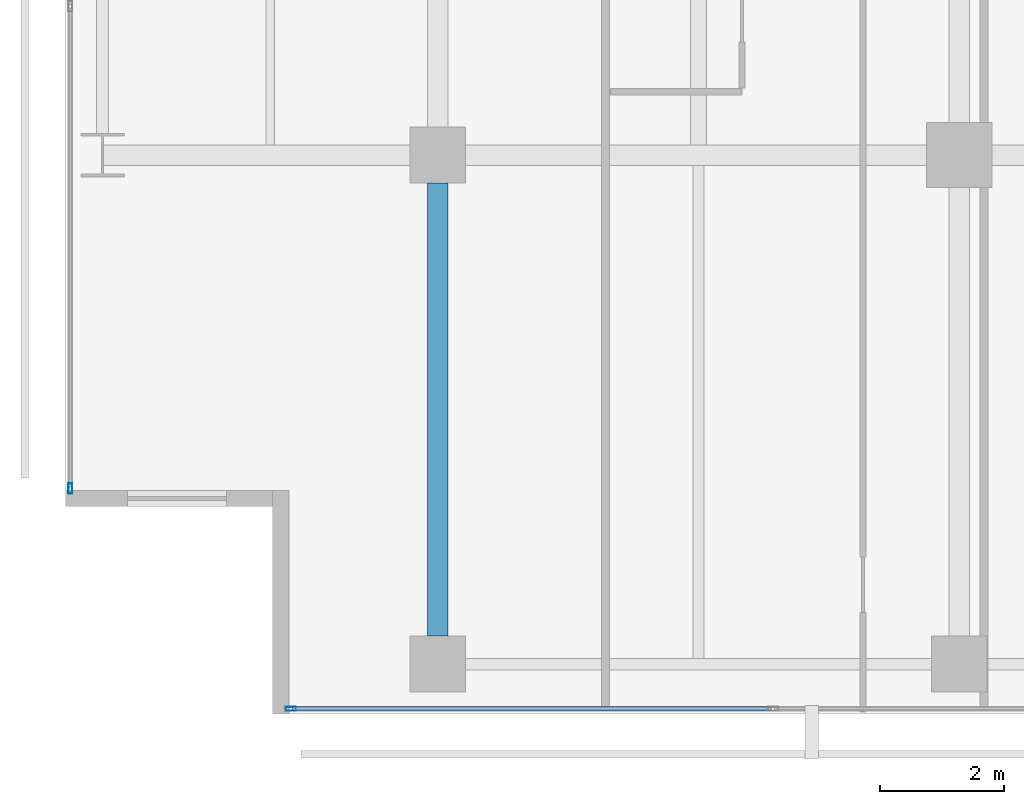
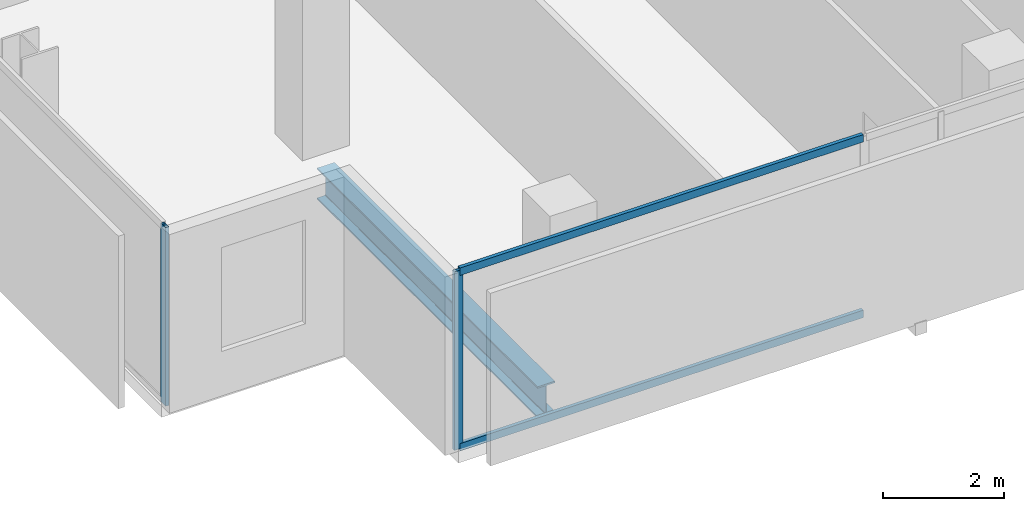
# One storey, part 2 of 40: 4 members, 1 beam, 2 elements without a shape of their own.
"""IFC4 building model written with IfcOpenShell, lengths in metres."""

from ifc_helpers import new_model, si_unit, direction, frame, origin, origin_2d, place, context, subcontext, project, spatial, hollow_rectangle, i_section, extrude, material, layer, layer_set, material_profile, profile_set, type_object, element, aggregate, save


model = new_model("IFC4")

# Units and contexts
model_context = context("Model", 3, precision=1e-05, world=origin(), true_north=direction((0.0, 1.0)))
body_context = subcontext(model_context, "Body", "Model", "MODEL_VIEW")
ifc_project = project(units=[si_unit("LENGTHUNIT", "METRE"), si_unit("AREAUNIT", "SQUARE_METRE"), si_unit("VOLUMEUNIT", "CUBIC_METRE"), si_unit("PLANEANGLEUNIT", "RADIAN"), si_unit("MASSUNIT", "GRAM", prefix="KILO")], contexts=[model_context])

# Site, building, storey
site_placement = place(None, origin())
site = spatial("IfcSite", under=ifc_project, at=site_placement, CompositionType="ELEMENT")
building_placement = place(site_placement, origin())
building = spatial("IfcBuilding", under=site, at=building_placement, Name="Maruvema Waterfront Hotel and Observation Tower", CompositionType="ELEMENT")
storey_placement = place(building_placement, frame((0.0, 0.0, 34.64990234375)))
storey = spatial("IfcBuildingStorey", under=building, at=storey_placement, Name="L07", CompositionType="ELEMENT", Elevation=34.64990234375)

# Curtain wall, members
ifc_material_1 = material(Name="Anodised bronze aluminium and solar-control low-E IGU", Category="aluminium")
ifc_layer = layer(ifc_material_1, 0.159912109375, Name="Zone 1 Bronze Inner Thermal Curtain Wall System CW-02")
ifc_layer_set = layer_set([ifc_layer], Name="Anodised bronze aluminium and solar-control low-E IGU")
curtain_wall_type = type_object("IfcCurtainWallType", Name="Zone 1 Bronze Inner Thermal Curtain Wall System CW-02", PredefinedType="USERDEFINED", material=ifc_layer_set)
curtain_wall_1_placement = place(storey_placement, origin())
curtain_wall_1 = element("IfcCurtainWall", 1, at=curtain_wall_1_placement, inside=storey, type_object=curtain_wall_type, Name="L07 Curtain Wall CW-L07-S", ObjectType="UNITISED CURTAIN WALL", PredefinedType="USERDEFINED")
ifc_material_2 = material(Name="Anodised architectural bronze aluminium", Category="aluminium")
ifc_material_profile_1 = material_profile(ifc_material_2, hollow_rectangle(XDim=0.070068359375, YDim=0.14990234375, WallThickness=0.00390625, at=origin_2d()), Name="ALU-T70x150")
ifc_profile_set_1 = profile_set([ifc_material_profile_1], Name="Anodised architectural bronze aluminium")
member_type_1 = type_object("IfcMemberType", Name="Curtain Wall Horizontal Transom ALU-T70x150", PredefinedType="USERDEFINED", material=ifc_profile_set_1)
member_1_placement = place(storey_placement, frame((14.4599609375, 0.080078125, 0.030029296875), z_axis=(1.0, 0.0, 0.0), x_axis=(0.0, 1.0, 0.0)))
member_1 = element("IfcMember", 2, at=member_1_placement, type_object=member_type_1, Name="CW-02 transom 1.1", ObjectType="TRANSOM", PredefinedType="USERDEFINED", context=body_context, shape_type="SweptSolid", body=[
    extrude(hollow_rectangle(XDim=0.070068359375, YDim=0.14990234375, WallThickness=0.00390625, at=origin_2d()), origin(), (0.0, 0.0, 1.0), 7.7099609375),
])
member_2_placement = place(storey_placement, frame((14.4599609375, 0.080078125, 3.580078125), z_axis=(1.0, 0.0, 0.0), x_axis=(0.0, 1.0, 0.0)))
member_2 = element("IfcMember", 3, at=member_2_placement, type_object=member_type_1, Name="CW-02 transom 1.2", ObjectType="TRANSOM", PredefinedType="USERDEFINED", context=body_context, shape_type="SweptSolid", body=[
    extrude(hollow_rectangle(XDim=0.070068359375, YDim=0.14990234375, WallThickness=0.00390625, at=origin_2d()), origin(), (0.0, 0.0, 1.0), 7.7099609375),
])
ifc_material_3 = material(Name="Anodised architectural bronze aluminium", Category="aluminium")
ifc_material_profile_2 = material_profile(ifc_material_3, hollow_rectangle(XDim=0.06494140625, YDim=0.1650390625, WallThickness=0.00390625, at=origin_2d()), Name="ALU-M65x165")
ifc_profile_set_2 = profile_set([ifc_material_profile_2], Name="Anodised architectural bronze aluminium")
member_type_2 = type_object("IfcMemberType", Name="Curtain Wall Primary Mullion ALU-M65x165", PredefinedType="MULLION", material=ifc_profile_set_2)
member_3_placement = place(storey_placement, frame((14.429931640625, 0.080078125, 0.0), z_axis=(0.0, 0.0, 1.0), x_axis=(0.0, 1.0, 0.0)))
member_3 = element("IfcMember", 4, at=member_3_placement, type_object=member_type_2, Name="CW-02 mullion 1", PredefinedType="MULLION", context=body_context, shape_type="SweptSolid", body=[
    extrude(hollow_rectangle(XDim=0.06494140625, YDim=0.1650390625, WallThickness=0.00390625, at=origin_2d()), origin(), (0.0, 0.0, 1.0), 3.610107421875),
])
aggregate(curtain_wall_1, [member_3, member_1, member_2])

# Curtain wall, member
curtain_wall_2_placement = place(storey_placement, origin())
curtain_wall_2 = element("IfcCurtainWall", 5, at=curtain_wall_2_placement, inside=storey, type_object=curtain_wall_type, Name="L07 Curtain Wall CW-L07-W", ObjectType="UNITISED CURTAIN WALL", PredefinedType="USERDEFINED")
member_4_placement = place(storey_placement, frame((10.8798828125, 3.6298828125, 0.0), z_axis=(0.0, 0.0, 1.0), x_axis=(1.0, 0.0, 0.0)))
member_4 = element("IfcMember", 6, at=member_4_placement, type_object=member_type_2, Name="CW-02 mullion 7", PredefinedType="MULLION", context=body_context, shape_type="SweptSolid", body=[
    extrude(hollow_rectangle(XDim=0.06494140625, YDim=0.1650390625, WallThickness=0.00390625, at=origin_2d()), origin(), (0.0, 0.0, 1.0), 3.610107421875),
])
aggregate(curtain_wall_2, [member_4])

# Beam
ifc_material_4 = material(Name="Steel ASTM A572 Grade 50", Category="steel")
ifc_material_profile_3 = material_profile(ifc_material_4, i_section(OverallWidth=0.3291015625, OverallDepth=0.635009765625, WebThickness=0.017822265625, FlangeThickness=0.031005859375, FilletRadius=0.01806640625, at=origin_2d()), Name="W610x241.0")
ifc_profile_set_3 = profile_set([ifc_material_profile_3], Name="Steel ASTM A572 Grade 50")
beam_type = type_object("IfcBeamType", Name="Primary Floor Girder W610x241.0", PredefinedType="BEAM", material=ifc_profile_set_3)
beam_placement = place(storey_placement, frame((16.800048828125, 1.25, -0.557373046875), z_axis=(0.0, 1.0, 0.0), x_axis=(-1.0, 0.0, 0.0)))
element("IfcBeam", 7, at=beam_placement, inside=storey, type_object=beam_type, Name="L07 Floor Girder NS-05", PredefinedType="BEAM", context=body_context, shape_type="SweptSolid", body=[
    extrude(i_section(OverallWidth=0.3291015625, OverallDepth=0.635009765625, WebThickness=0.017822265625, FlangeThickness=0.031005859375, FilletRadius=0.01806640625, at=origin_2d()), origin(), (0.0, 0.0, 1.0), 7.300048828125),
])

save(model, "model.ifc")
